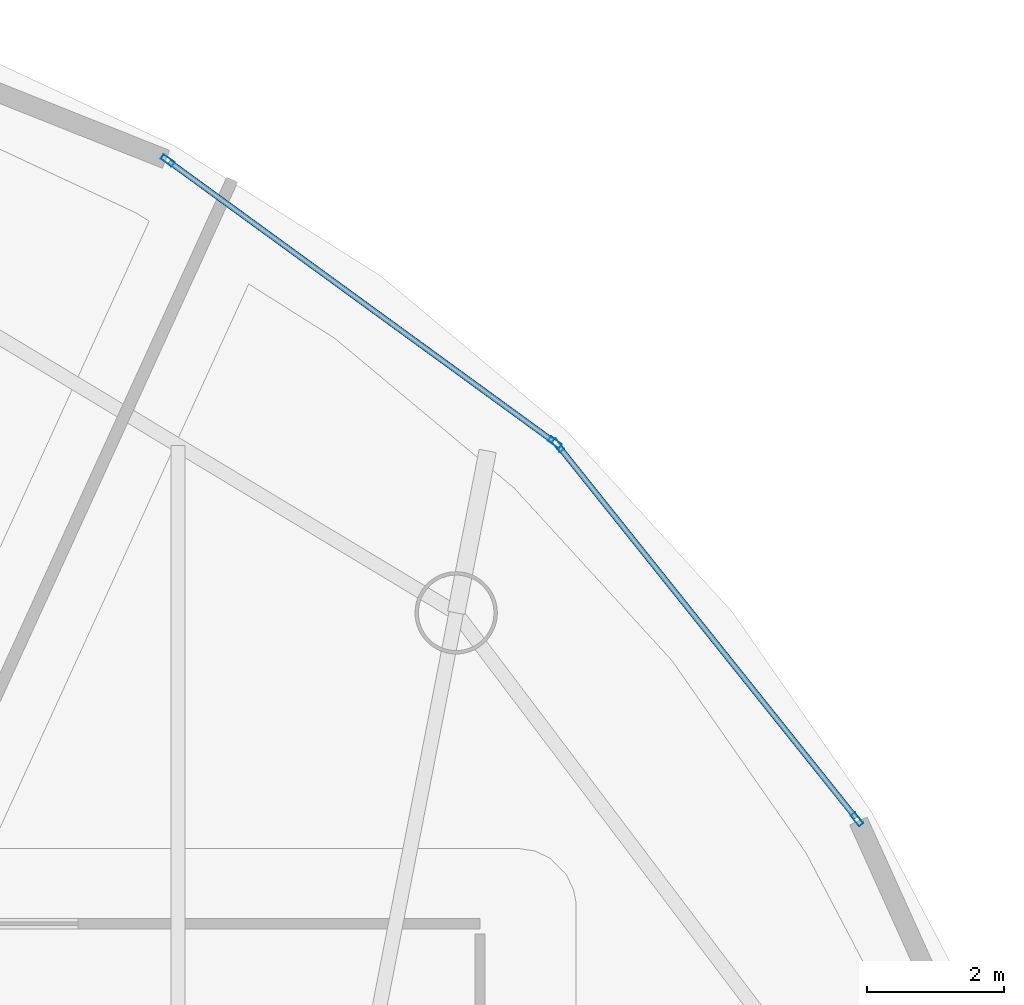
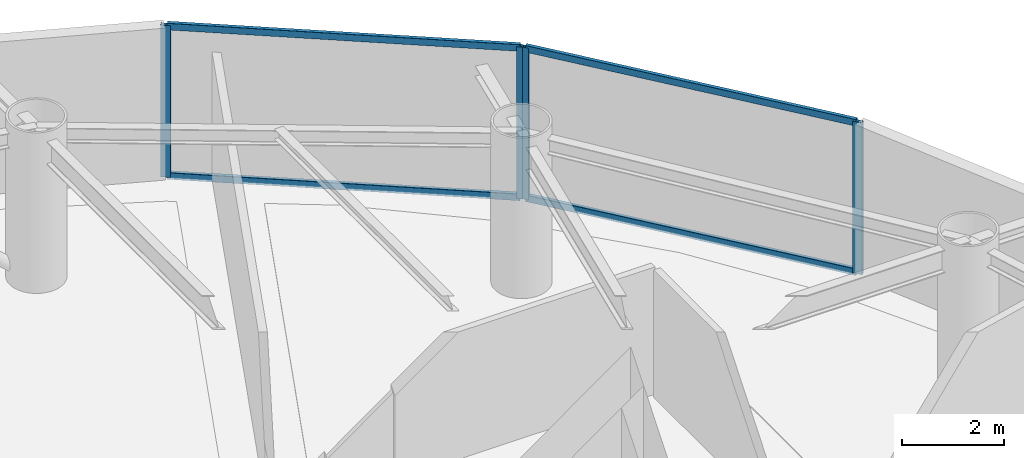
# One storey, part 11 of 18: 8 members, 2 elements without a shape of their own.
"""IFC4 building model written with IfcOpenShell, lengths in metres."""

from ifc_helpers import new_model, si_unit, direction, frame, origin, origin_2d, place, context, subcontext, project, spatial, hollow_rectangle, extrude, material, layer, layer_set, material_profile, profile_set, type_object, element, aggregate, save


model = new_model("IFC4")

# Units and contexts
model_context = context("Model", 3, precision=1e-05, world=origin(), true_north=direction((0.0, 1.0)))
body_context = subcontext(model_context, "Body", "Model", "MODEL_VIEW")
ifc_project = project(units=[si_unit("LENGTHUNIT", "METRE"), si_unit("AREAUNIT", "SQUARE_METRE"), si_unit("VOLUMEUNIT", "CUBIC_METRE"), si_unit("PLANEANGLEUNIT", "RADIAN"), si_unit("MASSUNIT", "GRAM", prefix="KILO")], contexts=[model_context])

# Site, building, storey
site_placement = place(None, origin())
site = spatial("IfcSite", under=ifc_project, at=site_placement, CompositionType="ELEMENT")
building_placement = place(site_placement, origin())
building = spatial("IfcBuilding", under=site, at=building_placement, Name="Bramvorn Convention Spire", CompositionType="ELEMENT")
storey_placement = place(building_placement, frame((0.0, 0.0, 205.85009765625)))
storey = spatial("IfcBuildingStorey", under=building, at=storey_placement, Name="L52", CompositionType="ELEMENT", Elevation=205.85009765625)

# Curtain wall, members
ifc_material_1 = material(Name="Anodised Bronze Unitised Curtain Wall", Category="aluminium")
ifc_layer = layer(ifc_material_1, 0.179931640625)
ifc_layer_set = layer_set([ifc_layer], Name="Anodised Bronze Unitised Curtain Wall - CW-OFF-FRIT")
curtain_wall_type = type_object("IfcCurtainWallType", Name="CW-OFF-FRIT", PredefinedType="USERDEFINED", material=ifc_layer_set)
curtain_wall_1_placement = place(storey_placement, origin())
curtain_wall_1 = element("IfcCurtainWall", 1, at=curtain_wall_1_placement, inside=storey, type_object=curtain_wall_type, Name="L52 fritted glass curtain wall 06", ObjectType="UNITISED CURTAIN WALL", PredefinedType="USERDEFINED")
ifc_material_2 = material(Name="Anodised Bronze Aluminium 6063-T6", Category="aluminium")
ifc_material_profile_1 = material_profile(ifc_material_2, hollow_rectangle(XDim=0.080078125, YDim=0.199951171875, WallThickness=0.00390625, InnerFilletRadius=0.0009765625, OuterFilletRadius=0.00390625, at=origin_2d()))
ifc_profile_set_1 = profile_set([ifc_material_profile_1], Name="Anodised Bronze Aluminium 6063-T6 - CWM80X200")
member_type_1 = type_object("IfcMemberType", Name="CW-MUL-180", PredefinedType="MULLION", material=ifc_profile_set_1)
member_1_placement = place(storey_placement, frame((51.984619140625, 42.328125, 0.0), z_axis=(0.0, 0.0, 1.0), x_axis=(0.780929733084, 0.624618885389, 0.0)))
member_1 = element("IfcMember", 2, at=member_1_placement, type_object=member_type_1, Name="CW3 mullion 1", PredefinedType="MULLION", context=body_context, shape_type="SweptSolid", body=[
    extrude(hollow_rectangle(XDim=0.080078125, YDim=0.199951171875, WallThickness=0.00390625, InnerFilletRadius=0.0009765625, OuterFilletRadius=0.00390625, at=origin_2d()), origin(), (0.0, 0.0, 1.0), 3.619873046875),
])
member_2_placement = place(storey_placement, frame((56.34814453125, 36.872802734375, 0.0), z_axis=(0.0, 0.0, 1.0), x_axis=(0.780929733084, 0.624618885389, 0.0)))
member_2 = element("IfcMember", 3, at=member_2_placement, type_object=member_type_1, Name="CW3 mullion 2", PredefinedType="MULLION", context=body_context, shape_type="SweptSolid", body=[
    extrude(hollow_rectangle(XDim=0.080078125, YDim=0.199951171875, WallThickness=0.00390625, InnerFilletRadius=0.0009765625, OuterFilletRadius=0.00390625, at=origin_2d()), origin(), (0.0, 0.0, 1.0), 3.619873046875),
])

curtain_wall_2_placement = place(storey_placement, origin())
curtain_wall_2 = element("IfcCurtainWall", 4, at=curtain_wall_2_placement, inside=storey, type_object=curtain_wall_type, Name="L52 fritted glass curtain wall 07", ObjectType="UNITISED CURTAIN WALL", PredefinedType="USERDEFINED")
member_3_placement = place(storey_placement, frame((46.294189453125, 46.48046875, 0.0), z_axis=(0.0, 0.0, 1.0), x_axis=(0.588541276999, 0.808467170186, 0.0)))
member_3 = element("IfcMember", 5, at=member_3_placement, type_object=member_type_1, Name="CW3 mullion 1", PredefinedType="MULLION", context=body_context, shape_type="SweptSolid", body=[
    extrude(hollow_rectangle(XDim=0.080078125, YDim=0.199951171875, WallThickness=0.00390625, InnerFilletRadius=0.0009765625, OuterFilletRadius=0.00390625, at=origin_2d()), origin(), (0.0, 0.0, 1.0), 3.619873046875),
])
member_4_placement = place(storey_placement, frame((51.941650390625, 42.369140625, 0.0), z_axis=(0.0, 0.0, 1.0), x_axis=(0.588541276999, 0.808467170186, 0.0)))
member_4 = element("IfcMember", 6, at=member_4_placement, type_object=member_type_1, Name="CW3 mullion 2", PredefinedType="MULLION", context=body_context, shape_type="SweptSolid", body=[
    extrude(hollow_rectangle(XDim=0.080078125, YDim=0.199951171875, WallThickness=0.00390625, InnerFilletRadius=0.0009765625, OuterFilletRadius=0.00390625, at=origin_2d()), origin(), (0.0, 0.0, 1.0), 3.619873046875),
])

# Member
ifc_material_profile_2 = material_profile(ifc_material_2, hollow_rectangle(XDim=0.080078125, YDim=0.159912109375, WallThickness=0.00390625, InnerFilletRadius=0.0009765625, OuterFilletRadius=0.00390625, at=origin_2d()))
ifc_profile_set_2 = profile_set([ifc_material_profile_2], Name="Anodised Bronze Aluminium 6063-T6 - CWT80X160")
member_type_2 = type_object("IfcMemberType", Name="CW-TRN-150", PredefinedType="USERDEFINED", material=ifc_profile_set_2)
member_5_placement = place(storey_placement, frame((52.00341796875, 42.3046875, 0.02978515625), z_axis=(0.624621962366, -0.780927271985, 0.0), x_axis=(0.780927271985, 0.624621962366, 0.0)))
member_5 = element("IfcMember", 7, at=member_5_placement, type_object=member_type_2, Name="CW3 transom 1.1", ObjectType="TRANSOM", PredefinedType="USERDEFINED", context=body_context, shape_type="SweptSolid", body=[
    extrude(hollow_rectangle(XDim=0.080078125, YDim=0.159912109375, WallThickness=0.00390625, InnerFilletRadius=0.0009765625, OuterFilletRadius=0.00390625, at=origin_2d()), origin(), (0.0, 0.0, 1.0), 6.92578125),
])

member_6_placement = place(storey_placement, frame((52.00341796875, 42.3046875, 3.58984375), z_axis=(0.624621962366, -0.780927271985, 0.0), x_axis=(0.780927271985, 0.624621962366, 0.0)))
member_6 = element("IfcMember", 8, at=member_6_placement, type_object=member_type_2, Name="CW3 transom 1.2", ObjectType="TRANSOM", PredefinedType="USERDEFINED", context=body_context, shape_type="SweptSolid", body=[
    extrude(hollow_rectangle(XDim=0.080078125, YDim=0.159912109375, WallThickness=0.00390625, InnerFilletRadius=0.0009765625, OuterFilletRadius=0.00390625, at=origin_2d()), origin(), (0.0, 0.0, 1.0), 6.92578125),
])

aggregate(curtain_wall_1, [member_1, member_2, member_5, member_6])

member_7_placement = place(storey_placement, frame((46.318359375, 46.462890625, 0.02978515625), z_axis=(0.808455505565, -0.588557300118, 0.0), x_axis=(0.588557300118, 0.808455505565, 0.0)))
member_7 = element("IfcMember", 9, at=member_7_placement, type_object=member_type_2, Name="CW3 transom 1.1", ObjectType="TRANSOM", PredefinedType="USERDEFINED", context=body_context, shape_type="SweptSolid", body=[
    extrude(hollow_rectangle(XDim=0.080078125, YDim=0.159912109375, WallThickness=0.00390625, InnerFilletRadius=0.0009765625, OuterFilletRadius=0.00390625, at=origin_2d()), origin(), (0.0, 0.0, 1.0), 6.92578125),
])

member_8_placement = place(storey_placement, frame((46.318359375, 46.462890625, 3.58984375), z_axis=(0.808455505565, -0.588557300118, 0.0), x_axis=(0.588557300118, 0.808455505565, 0.0)))
member_8 = element("IfcMember", 10, at=member_8_placement, type_object=member_type_2, Name="CW3 transom 1.2", ObjectType="TRANSOM", PredefinedType="USERDEFINED", context=body_context, shape_type="SweptSolid", body=[
    extrude(hollow_rectangle(XDim=0.080078125, YDim=0.159912109375, WallThickness=0.00390625, InnerFilletRadius=0.0009765625, OuterFilletRadius=0.00390625, at=origin_2d()), origin(), (0.0, 0.0, 1.0), 6.92578125),
])

aggregate(curtain_wall_2, [member_3, member_4, member_7, member_8])

save(model, "model.ifc")
